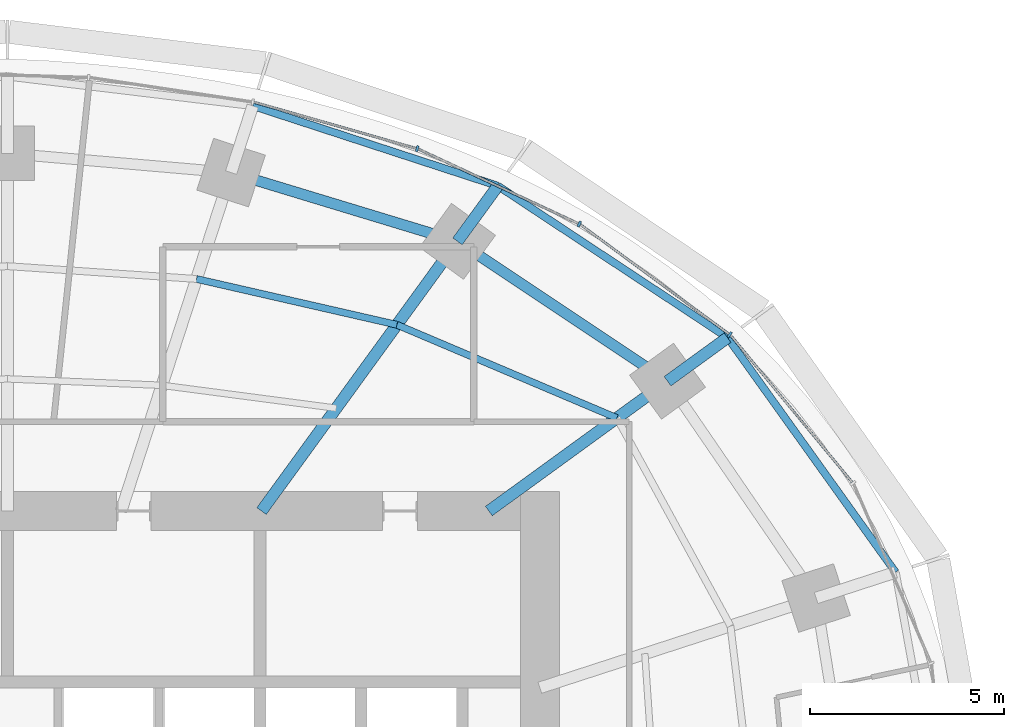
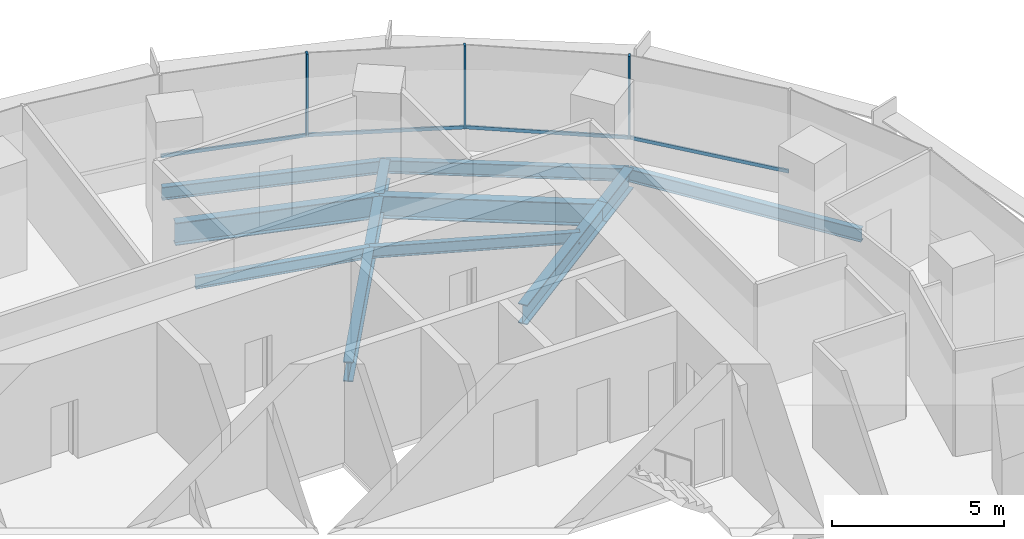
# One storey, part 8 of 14: 11 beams, 7 members, 2 elements without a shape of their own.
"""IFC4 building model written with IfcOpenShell, lengths in metres."""

from ifc_helpers import new_model, si_unit, direction, frame, origin, origin_2d, place, context, subcontext, project, spatial, rectangle, i_section, extrude, material, material_profile, profile_set, type_object, element, aggregate, save


model = new_model("IFC4")

# Units and contexts
model_context = context("Model", 3, precision=1e-05, world=origin(), true_north=direction((0.0, 1.0)))
body_context = subcontext(model_context, "Body", "Model", "MODEL_VIEW")
ifc_project = project(units=[si_unit("LENGTHUNIT", "METRE"), si_unit("AREAUNIT", "SQUARE_METRE"), si_unit("VOLUMEUNIT", "CUBIC_METRE"), si_unit("PLANEANGLEUNIT", "RADIAN"), si_unit("MASSUNIT", "GRAM", prefix="KILO")], contexts=[model_context])

# Site, building, storey
site_placement = place(None, origin())
site = spatial("IfcSite", under=ifc_project, at=site_placement, CompositionType="ELEMENT")
building_placement = place(site_placement, origin())
building = spatial("IfcBuilding", under=site, at=building_placement, Name="Marramba Exchange Tower", CompositionType="ELEMENT")
storey_placement = place(building_placement, frame((0.0, 0.0, 183.800048828125)))
storey = spatial("IfcBuildingStorey", under=building, at=storey_placement, Name="L44", CompositionType="ELEMENT", Elevation=183.800048828125)

# Beams
ifc_material_1 = material(Name="Steel AS/NZS 3679.2 grade 300", Category="steel")
ifc_material_profile_1 = material_profile(ifc_material_1, i_section(OverallWidth=0.300048828125, OverallDepth=0.699951171875, WebThickness=0.010009765625, FlangeThickness=0.031982421875, at=origin_2d()), Name="700WB173")
ifc_profile_set_1 = profile_set([ifc_material_profile_1], Name="Steel AS/NZS 3679.2 grade 300")
beam_type_1 = type_object("IfcBeamType", Name="Cantilever girder 700WB173", PredefinedType="BEAM", material=ifc_profile_set_1)
beam_1_placement = place(storey_placement, frame((16.98583984375, 12.3408203125, -0.510009765625), z_axis=(0.808962750283, 0.587859905636, 0.0), x_axis=(-0.587859905636, 0.808962750283, 0.0)))
element("IfcBeam", 1, at=beam_1_placement, inside=storey, type_object=beam_type_1, Name="Cantilever girder L44 TC03", PredefinedType="BEAM", context=body_context, shape_type="SweptSolid", body=[
    extrude(i_section(OverallWidth=0.300048828125, OverallDepth=0.699951171875, WebThickness=0.010009765625, FlangeThickness=0.031982421875, at=origin_2d()), origin(), (0.0, 0.0, 1.0), 1.9091796875),
])
beam_2_placement = place(storey_placement, frame((11.581298828125, 15.9404296875, -0.510009765625), z_axis=(0.587817766387, 0.808993370504, 0.0), x_axis=(-0.808993370504, 0.587817766387, 0.0)))
element("IfcBeam", 2, at=beam_2_placement, inside=storey, type_object=beam_type_1, Name="Cantilever girder L44 TC04", PredefinedType="BEAM", context=body_context, shape_type="SweptSolid", body=[
    extrude(i_section(OverallWidth=0.300048828125, OverallDepth=0.699951171875, WebThickness=0.010009765625, FlangeThickness=0.031982421875, at=origin_2d()), origin(), (0.0, 0.0, 1.0), 1.763916015625),
])
ifc_material_2 = material(Name="Steel AS/NZS 3679.1 grade 300", Category="steel")
ifc_material_profile_2 = material_profile(ifc_material_2, i_section(OverallWidth=0.177978515625, OverallDepth=0.406005859375, WebThickness=0.0078125, FlangeThickness=0.0126953125, FilletRadius=0.011474609375, at=origin_2d()), Name="410UB59.7")
ifc_profile_set_2 = profile_set([ifc_material_profile_2], Name="Steel AS/NZS 3679.1 grade 300")
beam_type_2 = type_object("IfcBeamType", Name="Floor joist 410UB59.7", PredefinedType="JOIST", material=ifc_profile_set_2)
beam_3_placement = place(storey_placement, frame((15.682373046875, 11.393798828125, -0.363037109375), z_axis=(-0.920674336375, 0.390331610738, 0.0), x_axis=(-0.390331610738, -0.920674336375, 0.0)))
element("IfcBeam", 3, at=beam_3_placement, inside=storey, type_object=beam_type_2, Name="Joist L44 bay 03 row 2", PredefinedType="JOIST", context=body_context, shape_type="SweptSolid", body=[
    extrude(i_section(OverallWidth=0.177978515625, OverallDepth=0.406005859375, WebThickness=0.0078125, FlangeThickness=0.0126953125, FilletRadius=0.011474609375, at=origin_2d()), origin(), (0.0, 0.0, 1.0), 6.1484375),
])
beam_4_placement = place(storey_placement, frame((10.021728515625, 13.793701171875, -0.363037109375), z_axis=(-0.974859652292, 0.222819788916, 0.0), x_axis=(-0.222819788916, -0.974859652292, 0.0)))
element("IfcBeam", 4, at=beam_4_placement, inside=storey, type_object=beam_type_2, Name="Joist L44 bay 04 row 2", PredefinedType="JOIST", context=body_context, shape_type="SweptSolid", body=[
    extrude(i_section(OverallWidth=0.177978515625, OverallDepth=0.406005859375, WebThickness=0.0078125, FlangeThickness=0.0126953125, FilletRadius=0.011474609375, at=origin_2d()), origin(), (0.0, 0.0, 1.0), 5.2900390625),
])

# Curtain wall, members
ifc_material_3 = material(Name="Aluminium framing, bronze anodised", Category="aluminium")
curtain_wall_type = type_object("IfcCurtainWallType", Name="Office ribbon curtain wall", PredefinedType="USERDEFINED", material=ifc_material_3)
curtain_wall_1_placement = place(storey_placement, origin())
curtain_wall_1 = element("IfcCurtainWall", 5, at=curtain_wall_1_placement, inside=storey, type_object=curtain_wall_type, Name="Curtain wall CW4 L44 F01-F05", ObjectType="RIBBON CURTAIN WALL", PredefinedType="USERDEFINED")
ifc_material_4 = material(Name="Aluminium mullion, bronze anodised", Category="aluminium")
ifc_material_profile_3 = material_profile(ifc_material_4, rectangle(XDim=0.159912109375, YDim=0.06005859375, at=origin_2d()), Name="CW4 mullion 60x160")
ifc_profile_set_3 = profile_set([ifc_material_profile_3], Name="Aluminium mullion, bronze anodised")
member_type_1 = type_object("IfcMemberType", Name="Office ribbon curtain wall mullion", PredefinedType="MULLION", material=ifc_profile_set_3)
member_1_placement = place(storey_placement, frame((18.587158203125, 13.53955078125, 0.800048828125), z_axis=(0.0, 0.0, 1.0), x_axis=(-0.593441317494, -0.804877259395, 0.0)))
member_1 = element("IfcMember", 6, at=member_1_placement, type_object=member_type_1, Name="CW4 mullion 1", PredefinedType="MULLION", context=body_context, shape_type="SweptSolid", body=[
    extrude(rectangle(XDim=0.159912109375, YDim=0.06005859375, at=origin_2d()), origin(), (0.0, 0.0, 1.0), 2.93994140625),
])
member_2_placement = place(storey_placement, frame((14.7158203125, 16.386474609375, 0.800048828125), z_axis=(0.0, 0.0, 1.0), x_axis=(-0.422133006189, -0.906533907301, 0.0)))
member_2 = element("IfcMember", 7, at=member_2_placement, type_object=member_type_1, Name="CW4 mullion 1", PredefinedType="MULLION", context=body_context, shape_type="SweptSolid", body=[
    extrude(rectangle(XDim=0.159912109375, YDim=0.06005859375, at=origin_2d()), origin(), (0.0, 0.0, 1.0), 2.93994140625),
])

# Curtain wall, member
curtain_wall_2_placement = place(storey_placement, origin())
curtain_wall_2 = element("IfcCurtainWall", 8, at=curtain_wall_2_placement, inside=storey, type_object=curtain_wall_type, Name="Curtain wall CW4 L44 F06-F10", ObjectType="RIBBON CURTAIN WALL", PredefinedType="USERDEFINED")
member_3_placement = place(storey_placement, frame((10.54541015625, 18.3232421875, 0.800048828125), z_axis=(0.0, 0.0, 1.0), x_axis=(-0.274248164656, -0.961658954195, 0.0)))
member_3 = element("IfcMember", 9, at=member_3_placement, type_object=member_type_1, Name="CW4 mullion 1", PredefinedType="MULLION", context=body_context, shape_type="SweptSolid", body=[
    extrude(rectangle(XDim=0.159912109375, YDim=0.06005859375, at=origin_2d()), origin(), (0.0, 0.0, 1.0), 2.93994140625),
])

# Member
ifc_material_5 = material(Name="Aluminium transom, bronze anodised", Category="aluminium")
ifc_material_profile_4 = material_profile(ifc_material_5, rectangle(XDim=0.06005859375, YDim=0.1201171875, at=origin_2d()), Name="CW4 transom 60x120")
ifc_profile_set_4 = profile_set([ifc_material_profile_4], Name="Aluminium transom, bronze anodised")
member_type_2 = type_object("IfcMemberType", Name="Office ribbon curtain wall transom", PredefinedType="USERDEFINED", material=ifc_profile_set_4)
member_4_placement = place(storey_placement, frame((21.73779296875, 9.74169921875, 0.829833984375), z_axis=(-0.637375191043, 0.770553609973, 0.0), x_axis=(-0.770553609973, -0.637375191043, 0.0)))
member_4 = element("IfcMember", 10, at=member_4_placement, type_object=member_type_2, Name="CW4 sill transom", ObjectType="TRANSOM", PredefinedType="USERDEFINED", context=body_context, shape_type="SweptSolid", body=[
    extrude(rectangle(XDim=0.06005859375, YDim=0.1201171875, at=origin_2d()), origin(), (0.0, 0.0, 1.0), 4.905517578125),
])

member_5_placement = place(storey_placement, frame((18.56298828125, 13.557373046875, 0.829833984375), z_axis=(-0.804874780157, 0.593444680039, 0.0), x_axis=(-0.593444680039, -0.804874780157, 0.0)))
member_5 = element("IfcMember", 11, at=member_5_placement, type_object=member_type_2, Name="CW4 sill transom", ObjectType="TRANSOM", PredefinedType="USERDEFINED", context=body_context, shape_type="SweptSolid", body=[
    extrude(rectangle(XDim=0.06005859375, YDim=0.1201171875, at=origin_2d()), origin(), (0.0, 0.0, 1.0), 4.745849609375),
])

member_6_placement = place(storey_placement, frame((14.688720703125, 16.399169921875, 0.829833984375), z_axis=(-0.906548348139, 0.422101992989, 0.0), x_axis=(-0.422101992989, -0.906548348139, 0.0)))
member_6 = element("IfcMember", 12, at=member_6_placement, type_object=member_type_2, Name="CW4 sill transom", ObjectType="TRANSOM", PredefinedType="USERDEFINED", context=body_context, shape_type="SweptSolid", body=[
    extrude(rectangle(XDim=0.06005859375, YDim=0.1201171875, at=origin_2d()), origin(), (0.0, 0.0, 1.0), 4.53857421875),
])

aggregate(curtain_wall_1, [member_4, member_1, member_5, member_2, member_6])

member_7_placement = place(storey_placement, frame((10.5166015625, 18.33154296875, 0.829833984375), z_axis=(-0.961661807825, 0.274238158125, 0.0), x_axis=(-0.274238158125, -0.961661807825, 0.0)))
member_7 = element("IfcMember", 13, at=member_7_placement, type_object=member_type_2, Name="CW4 sill transom", ObjectType="TRANSOM", PredefinedType="USERDEFINED", context=body_context, shape_type="SweptSolid", body=[
    extrude(rectangle(XDim=0.06005859375, YDim=0.1201171875, at=origin_2d()), origin(), (0.0, 0.0, 1.0), 4.340087890625),
])

aggregate(curtain_wall_2, [member_3, member_7])

# Beams
ifc_material_profile_5 = material_profile(ifc_material_1, i_section(OverallWidth=0.300048828125, OverallDepth=0.699951171875, WebThickness=0.010009765625, FlangeThickness=0.031982421875, at=origin_2d()), Name="700WB173")
ifc_profile_set_5 = profile_set([ifc_material_profile_5], Name="Steel AS/NZS 3679.2 grade 300")
beam_type_3 = type_object("IfcBeamType", Name="Radial girder 700WB173", PredefinedType="BEAM", material=ifc_profile_set_5)
beam_5_placement = place(storey_placement, frame((12.387451171875, 9.0, -0.510009765625), z_axis=(0.809025746925, 0.587773205252, 0.0), x_axis=(-0.587773205252, 0.809025746925, 0.0)))
element("IfcBeam", 14, at=beam_5_placement, inside=storey, type_object=beam_type_3, Name="Radial girder L44 TC03", PredefinedType="BEAM", context=body_context, shape_type="SweptSolid", body=[
    extrude(i_section(OverallWidth=0.300048828125, OverallDepth=0.699951171875, WebThickness=0.010009765625, FlangeThickness=0.031982421875, at=origin_2d()), origin(), (0.0, 0.0, 1.0), 5.683837890625),
])
beam_6_placement = place(storey_placement, frame((6.538818359375, 9.0, -0.510009765625), z_axis=(0.587782439969, 0.80901903764, 0.0), x_axis=(-0.80901903764, 0.587782439969, 0.0)))
element("IfcBeam", 15, at=beam_6_placement, inside=storey, type_object=beam_type_3, Name="Radial girder L44 TC04", PredefinedType="BEAM", context=body_context, shape_type="SweptSolid", body=[
    extrude(i_section(OverallWidth=0.300048828125, OverallDepth=0.699951171875, WebThickness=0.010009765625, FlangeThickness=0.031982421875, at=origin_2d()), origin(), (0.0, 0.0, 1.0), 8.578857421875),
])
ifc_material_profile_6 = material_profile(ifc_material_1, i_section(OverallWidth=0.27490234375, OverallDepth=0.800048828125, WebThickness=0.010009765625, FlangeThickness=0.02490234375, at=origin_2d()), Name="800WB168")
ifc_profile_set_6 = profile_set([ifc_material_profile_6], Name="Steel AS/NZS 3679.2 grade 300")
beam_type_4 = type_object("IfcBeamType", Name="Ring beam 800WB168", PredefinedType="SPANDREL", material=ifc_profile_set_6)
beam_7_placement = place(storey_placement, frame((16.98583984375, 12.3408203125, -0.56005859375), z_axis=(-0.832293151443, 0.554335737673, 0.0), x_axis=(-0.554335737673, -0.832293151443, 0.0)))
element("IfcBeam", 16, at=beam_7_placement, inside=storey, type_object=beam_type_4, Name="Ring beam L44 TC03-TC04", PredefinedType="SPANDREL", context=body_context, shape_type="SweptSolid", body=[
    extrude(i_section(OverallWidth=0.27490234375, OverallDepth=0.800048828125, WebThickness=0.010009765625, FlangeThickness=0.02490234375, at=origin_2d()), origin(), (0.0, 0.0, 1.0), 6.49365234375),
])
beam_8_placement = place(storey_placement, frame((11.581298828125, 15.9404296875, -0.56005859375), z_axis=(-0.956924542524, 0.290336735387, 0.0), x_axis=(-0.290336735387, -0.956924542524, 0.0)))
element("IfcBeam", 17, at=beam_8_placement, inside=storey, type_object=beam_type_4, Name="Ring beam L44 TC04-TC05", PredefinedType="SPANDREL", context=body_context, shape_type="SweptSolid", body=[
    extrude(i_section(OverallWidth=0.27490234375, OverallDepth=0.800048828125, WebThickness=0.010009765625, FlangeThickness=0.02490234375, at=origin_2d()), origin(), (0.0, 0.0, 1.0), 6.089599609375),
])
ifc_material_profile_7 = material_profile(ifc_material_2, i_section(OverallWidth=0.19091796875, OverallDepth=0.4599609375, WebThickness=0.010009765625, FlangeThickness=0.01611328125, FilletRadius=0.011474609375, at=origin_2d()), Name="460UB82.1")
ifc_profile_set_7 = profile_set([ifc_material_profile_7], Name="Steel AS/NZS 3679.1 grade 300")
beam_type_5 = type_object("IfcBeamType", Name="Slab edge beam 460UB82.1", PredefinedType="SPANDREL", material=ifc_profile_set_7)
beam_9_placement = place(storey_placement, frame((22.853515625, 7.425537109375, -0.39013671875), z_axis=(-0.582189457885, 0.813053156398, 0.0), x_axis=(-0.813053156398, -0.582189457885, 0.0)))
element("IfcBeam", 18, at=beam_9_placement, inside=storey, type_object=beam_type_5, Name="Slab edge beam L44 TC02-TC03", PredefinedType="SPANDREL", context=body_context, shape_type="SweptSolid", body=[
    extrude(i_section(OverallWidth=0.19091796875, OverallDepth=0.4599609375, WebThickness=0.010009765625, FlangeThickness=0.01611328125, FilletRadius=0.011474609375, at=origin_2d()), origin(), (0.0, 0.0, 1.0), 7.42578125),
])
beam_10_placement = place(storey_placement, frame((18.5302734375, 13.463134765625, -0.39013671875), z_axis=(-0.834459826117, 0.551068778463, 0.0), x_axis=(-0.551068778463, -0.834459826117, 0.0)))
element("IfcBeam", 19, at=beam_10_placement, inside=storey, type_object=beam_type_5, Name="Slab edge beam L44 TC03-TC04", PredefinedType="SPANDREL", context=body_context, shape_type="SweptSolid", body=[
    extrude(i_section(OverallWidth=0.19091796875, OverallDepth=0.4599609375, WebThickness=0.010009765625, FlangeThickness=0.01611328125, FilletRadius=0.011474609375, at=origin_2d()), origin(), (0.0, 0.0, 1.0), 7.0849609375),
])
beam_11_placement = place(storey_placement, frame((12.6181640625, 17.367431640625, -0.39013671875), z_axis=(-0.950608559101, 0.310392279809, 0.0), x_axis=(-0.310392279809, -0.950608559101, 0.0)))
element("IfcBeam", 20, at=beam_11_placement, inside=storey, type_object=beam_type_5, Name="Slab edge beam L44 TC04-TC05", PredefinedType="SPANDREL", context=body_context, shape_type="SweptSolid", body=[
    extrude(i_section(OverallWidth=0.19091796875, OverallDepth=0.4599609375, WebThickness=0.010009765625, FlangeThickness=0.01611328125, FilletRadius=0.011474609375, at=origin_2d()), origin(), (0.0, 0.0, 1.0), 6.6337890625),
])

save(model, "model.ifc")
